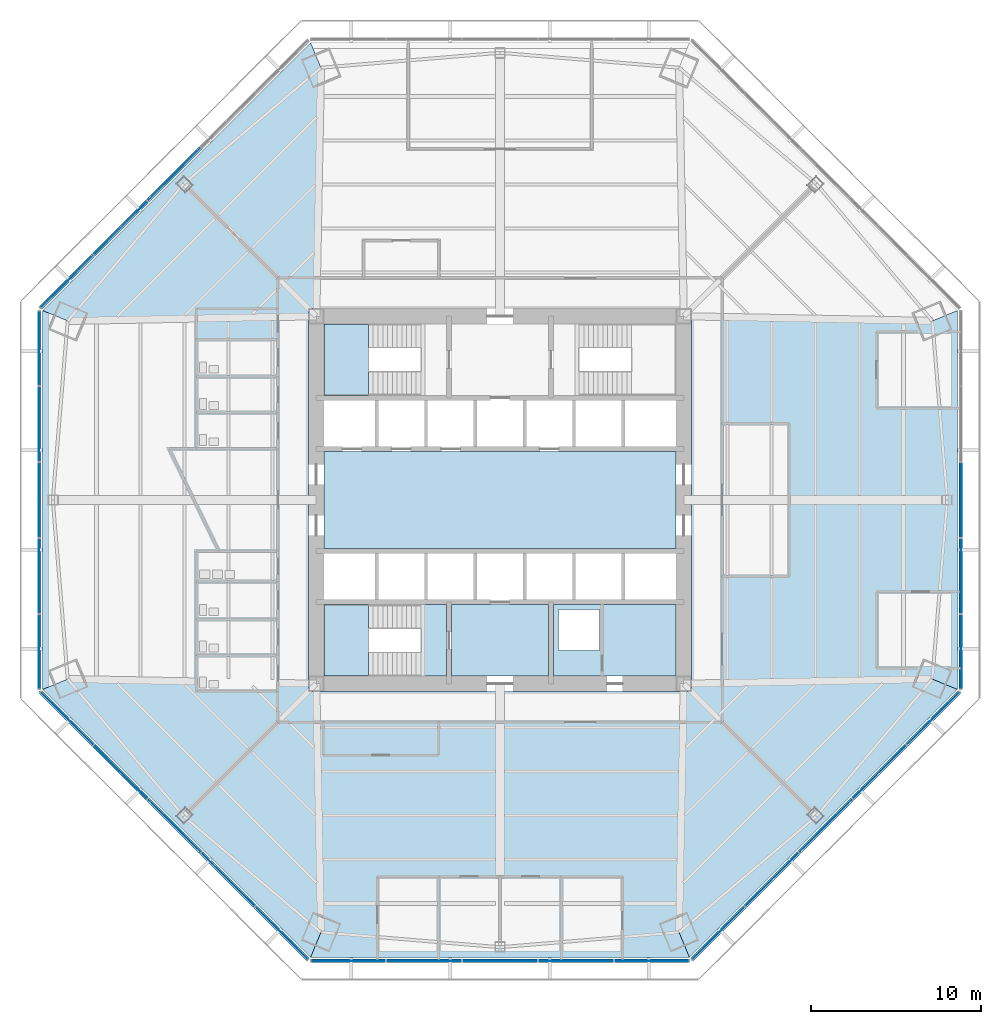
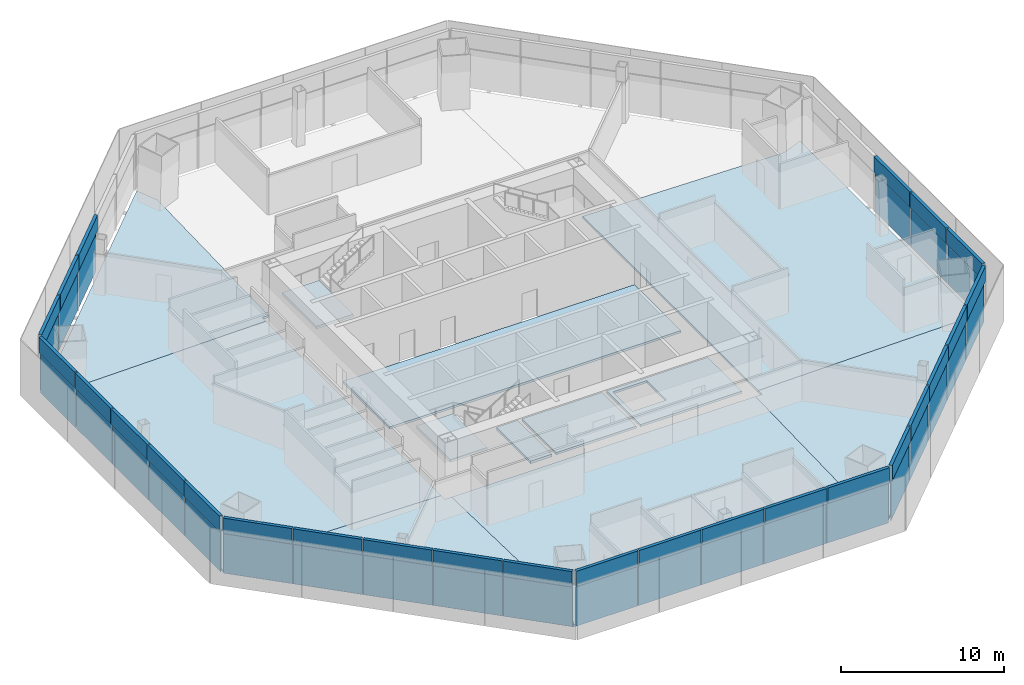
# One storey, part 7 of 14: 52 plates, 12 slabs, 8 elements without a shape of their own.
"""IFC4 building model written with IfcOpenShell, lengths in metres."""

from ifc_helpers import new_model, si_unit, direction, frame, origin, origin_2d, place, context, subcontext, project, spatial, polyline, rectangle, outline, extrude, source, transform, mapped, material, layer, layer_set, type_object, type_shapes, element, aggregate, save


model = new_model("IFC4")

# Units and contexts
model_context = context("Model", 3, precision=1e-05, world=origin(), true_north=direction((0.0, 1.0)))
body_context = subcontext(model_context, "Body", "Model", "MODEL_VIEW")
ifc_project = project(units=[si_unit("LENGTHUNIT", "METRE"), si_unit("AREAUNIT", "SQUARE_METRE"), si_unit("VOLUMEUNIT", "CUBIC_METRE"), si_unit("PLANEANGLEUNIT", "RADIAN"), si_unit("MASSUNIT", "GRAM", prefix="KILO")], contexts=[model_context])

# Site, building, storey
site_placement = place(None, origin())
site = spatial("IfcSite", under=ifc_project, at=site_placement, CompositionType="ELEMENT")
building_placement = place(site_placement, origin())
building = spatial("IfcBuilding", under=site, at=building_placement, Name="Mashrafa Tower", CompositionType="ELEMENT")
storey_placement = place(building_placement, frame((0.0, 0.0, 33.0)))
storey = spatial("IfcBuildingStorey", under=building, at=storey_placement, Name="L06", CompositionType="ELEMENT", Elevation=33.0)

# Slabs
ifc_material_1 = material(Name="Concrete C35/45", Category="concrete")
ifc_layer_1 = layer(ifc_material_1, 0.1650390625)
ifc_layer_set_1 = layer_set([ifc_layer_1], Name="Floor slab 165")
slab_type_1 = type_object("IfcSlabType", Name="Floor slab 165", PredefinedType="FLOOR", material=ifc_layer_set_1)
slab_1_placement = place(storey_placement, frame((0.0, 0.0, -0.1650390625)))
element("IfcSlab", 1, at=slab_1_placement, inside=storey, type_object=slab_type_1, Name="Floor slab L06 east bay", PredefinedType="FLOOR", context=body_context, shape_type="SweptSolid", body=[
    extrude(outline(polyline([(26.881103515625, 11.134521484375), (26.881103515625, -11.134521484375), (26.881103515625, -11.134521484375), (25.40771484375, -10.524169921875), (11.25, -10.79150390625), (11.25, 10.79150390625), (25.40771484375, 10.524169921875), (26.881103515625, 11.134521484375), (26.881103515625, 11.134521484375)])), origin(), (0.0, 0.0, 1.0), 0.1650390625),
])
slab_2_placement = place(storey_placement, frame((0.0, 0.0, -0.1650390625)))
element("IfcSlab", 2, at=slab_2_placement, inside=storey, type_object=slab_type_1, Name="Floor slab L06 north-west bay", PredefinedType="FLOOR", context=body_context, shape_type="SweptSolid", body=[
    extrude(outline(polyline([(-11.134521484375, 26.881103515625), (-10.524169921875, 25.40771484375), (-10.79150390625, 11.25), (-11.25, 11.25), (-11.25, 10.79150390625), (-25.40771484375, 10.524169921875), (-26.881103515625, 11.134521484375), (-11.134521484375, 26.881103515625)])), origin(), (0.0, 0.0, 1.0), 0.1650390625),
])
slab_3_placement = place(storey_placement, frame((0.0, 0.0, -0.1650390625)))
element("IfcSlab", 3, at=slab_3_placement, inside=storey, type_object=slab_type_1, Name="Floor slab L06 west bay", PredefinedType="FLOOR", context=body_context, shape_type="SweptSolid", body=[
    extrude(outline(polyline([(-26.881103515625, -11.134521484375), (-26.881103515625, 11.134521484375), (-26.881103515625, 11.134521484375), (-25.40771484375, 10.524169921875), (-11.25, 10.79150390625), (-11.25, -10.79150390625), (-25.40771484375, -10.524169921875), (-26.881103515625, -11.134521484375), (-26.881103515625, -11.134521484375)])), origin(), (0.0, 0.0, 1.0), 0.1650390625),
])
slab_4_placement = place(storey_placement, frame((0.0, 0.0, -0.1650390625)))
element("IfcSlab", 4, at=slab_4_placement, inside=storey, type_object=slab_type_1, Name="Floor slab L06 south-west bay", PredefinedType="FLOOR", context=body_context, shape_type="SweptSolid", body=[
    extrude(outline(polyline([(-26.881103515625, -11.134521484375), (-25.40771484375, -10.524169921875), (-11.25, -10.79150390625), (-11.25, -11.25), (-10.79150390625, -11.25), (-10.524169921875, -25.40771484375), (-11.134521484375, -26.881103515625), (-26.881103515625, -11.134521484375)])), origin(), (0.0, 0.0, 1.0), 0.1650390625),
])
slab_5_placement = place(storey_placement, frame((0.0, 0.0, -0.1650390625)))
element("IfcSlab", 5, at=slab_5_placement, inside=storey, type_object=slab_type_1, Name="Floor slab L06 south bay", PredefinedType="FLOOR", context=body_context, shape_type="SweptSolid", body=[
    extrude(outline(polyline([(-11.134521484375, -26.881103515625), (-11.134521484375, -26.881103515625), (-10.524169921875, -25.40771484375), (-10.79150390625, -11.25), (10.79150390625, -11.25), (10.524169921875, -25.40771484375), (11.134521484375, -26.881103515625), (11.134521484375, -26.881103515625), (-11.134521484375, -26.881103515625)])), origin(), (0.0, 0.0, 1.0), 0.1650390625),
])
slab_6_placement = place(storey_placement, frame((0.0, 0.0, -0.1650390625)))
element("IfcSlab", 6, at=slab_6_placement, inside=storey, type_object=slab_type_1, Name="Floor slab L06 south-east bay", PredefinedType="FLOOR", context=body_context, shape_type="SweptSolid", body=[
    extrude(outline(polyline([(11.134521484375, -26.881103515625), (10.524169921875, -25.40771484375), (10.79150390625, -11.25), (11.25, -11.25), (11.25, -10.79150390625), (25.40771484375, -10.524169921875), (26.881103515625, -11.134521484375), (11.134521484375, -26.881103515625)])), origin(), (0.0, 0.0, 1.0), 0.1650390625),
])
slab_7_placement = place(storey_placement, frame((0.0, 0.0, -0.1650390625)))
element("IfcSlab", 7, at=slab_7_placement, inside=storey, type_object=slab_type_1, Name="Core floor lift hall L06", PredefinedType="FLOOR", context=body_context, shape_type="SweptSolid", body=[
    extrude(outline(polyline([(-10.35009765625, 2.85009765625), (10.35009765625, 2.85009765625), (10.35009765625, -2.85009765625), (-10.35009765625, -2.85009765625), (-10.35009765625, 2.85009765625)])), origin(), (0.0, 0.0, 1.0), 0.1650390625),
])
slab_8_placement = place(storey_placement, frame((0.0, 0.0, -0.1650390625)))
element("IfcSlab", 8, at=slab_8_placement, inside=storey, type_object=slab_type_1, Name="Core floor riser and electrical band L06", PredefinedType="FLOOR", context=body_context, shape_type="SweptSolid", body=[
    extrude(outline(polyline([(10.35009765625, -6.14990234375), (10.35009765625, -10.35009765625), (3.14990234375, -10.35009765625), (3.14990234375, -6.14990234375), (10.35009765625, -6.14990234375)]), holes=[polyline([(3.449951171875, -8.85009765625), (5.85009765625, -8.85009765625), (5.85009765625, -6.449951171875), (3.449951171875, -6.449951171875), (3.449951171875, -8.85009765625)])]), origin(), (0.0, 0.0, 1.0), 0.1650390625),
])
slab_9_placement = place(storey_placement, frame((0.0, 0.0, -0.1650390625)))
element("IfcSlab", 9, at=slab_9_placement, inside=storey, type_object=slab_type_1, Name="Core floor fire-fighting lobby south L06", PredefinedType="FLOOR", context=body_context, shape_type="SweptSolid", body=[
    extrude(outline(polyline([(2.85009765625, -6.14990234375), (2.85009765625, -10.35009765625), (-2.85009765625, -10.35009765625), (-2.85009765625, -6.14990234375), (2.85009765625, -6.14990234375)])), origin(), (0.0, 0.0, 1.0), 0.1650390625),
])

# Stair, slab
ifc_material_2 = material(Name="Exit stair 1400")
stair_type = type_object("IfcStairType", Name="Exit stair 1400", PredefinedType="HALF_TURN_STAIR", material=ifc_material_2)
stair_1_placement = place(storey_placement, origin())
stair_1 = element("IfcStair", 10, at=stair_1_placement, inside=storey, type_object=stair_type, Name="Stair S1 L06", PredefinedType="HALF_TURN_STAIR")
ifc_material_3 = material(Name="Concrete C32/40", Category="concrete")
ifc_layer_2 = layer(ifc_material_3, 0.199951171875)
ifc_layer_set_2 = layer_set([ifc_layer_2], Name="Stair landing 200")
slab_type_2 = type_object("IfcSlabType", Name="Stair landing 200", PredefinedType="LANDING", material=ifc_layer_set_2)
slab_10_placement = place(storey_placement, frame((0.0, 0.0, 1.89990234375)))
slab_10 = element("IfcSlab", 11, at=slab_10_placement, type_object=slab_type_2, Name="S1 landing 2", PredefinedType="LANDING", context=body_context, shape_type="SweptSolid", body=[
    extrude(outline(polyline([(-10.35009765625, 6.14990234375), (-7.719970703125, 6.14990234375), (-7.719970703125, 10.35009765625), (-10.35009765625, 10.35009765625), (-10.35009765625, 6.14990234375)])), origin(), (0.0, 0.0, 1.0), 0.2001953125),
])
aggregate(stair_1, [slab_10])

# Stair, slabs
stair_2_placement = place(storey_placement, origin())
stair_2 = element("IfcStair", 12, at=stair_2_placement, inside=storey, type_object=stair_type, Name="Stair S3 L06", PredefinedType="HALF_TURN_STAIR")
slab_11_placement = place(storey_placement, frame((0.0, 0.0, -0.199951171875)))
slab_11 = element("IfcSlab", 13, at=slab_11_placement, type_object=slab_type_2, Name="S3 landing 1", PredefinedType="LANDING", context=body_context, shape_type="SweptSolid", body=[
    extrude(outline(polyline([(-4.659912109375, -10.35009765625), (-3.14990234375, -10.35009765625), (-3.14990234375, -6.14990234375), (-4.659912109375, -6.14990234375), (-4.659912109375, -10.35009765625)])), origin(), (0.0, 0.0, 1.0), 0.199951171875),
])
slab_12_placement = place(storey_placement, frame((0.0, 0.0, 1.89990234375)))
slab_12 = element("IfcSlab", 14, at=slab_12_placement, type_object=slab_type_2, Name="S3 landing 2", PredefinedType="LANDING", context=body_context, shape_type="SweptSolid", body=[
    extrude(outline(polyline([(-10.35009765625, -10.35009765625), (-7.719970703125, -10.35009765625), (-7.719970703125, -6.14990234375), (-10.35009765625, -6.14990234375), (-10.35009765625, -10.35009765625)])), origin(), (0.0, 0.0, 1.0), 0.2001953125),
])
aggregate(stair_2, [slab_11, slab_12])

# Curtain wall, plate
ifc_material_4 = material(Name="Unitised aluminium curtain wall", Category="aluminium")
curtain_wall_type = type_object("IfcCurtainWallType", Name="Office curtain wall, zone 1 CW-A 200 deep", PredefinedType="NOTDEFINED", material=ifc_material_4)
curtain_wall_1_placement = place(storey_placement, origin())
curtain_wall_1 = element("IfcCurtainWall", 15, at=curtain_wall_1_placement, inside=storey, type_object=curtain_wall_type, Name="Office curtain wall, zone 1 L06 east", PredefinedType="NOTDEFINED")
ifc_material_5 = material(Name="Insulated double glazing, low-e, neutral", Category="glass")
ifc_layer_3 = layer(ifc_material_5, 0.028076171875)
ifc_layer_set_3 = layer_set([ifc_layer_3], Name="Vision panel CW-A 28")
plate_type_1 = type_object("IfcPlateType", Name="Vision panel CW-A 28", PredefinedType="CURTAIN_PANEL", material=ifc_layer_set_3)
shared_shape_1 = source(origin(), body_context, "Body", "SweptSolid", [
    extrude(rectangle(XDim=4.368896484375, YDim=0.028076171875, at=origin_2d()), origin(), (0.0, 0.0, 1.0), 2.9599609375),
])
plate_1_placement = place(storey_placement, frame((27.081298828125, -8.91650390625, 0.0), z_axis=(0.0, 0.0, 1.0), x_axis=(0.0, 1.0, 0.0)))
plate_1 = element("IfcPlate", 16, at=plate_1_placement, type_object=plate_type_1, Name="CW-A vision panel 1", PredefinedType="CURTAIN_PANEL", context=body_context, shape_type="MappedRepresentation", body=[
    mapped(shared_shape_1, transform((0.0, 0.0, 0.0))),
])

curtain_wall_2_placement = place(storey_placement, origin())
curtain_wall_2 = element("IfcCurtainWall", 17, at=curtain_wall_2_placement, inside=storey, type_object=curtain_wall_type, Name="Office curtain wall, zone 1 L06 north-west", PredefinedType="NOTDEFINED")
plate_2_placement = place(storey_placement, frame((-25.454345703125, 12.84423828125, 0.0), z_axis=(0.0, 0.0, 1.0), x_axis=(-0.707106781187, -0.707106781187, 0.0)))
plate_2 = element("IfcPlate", 18, at=plate_2_placement, type_object=plate_type_1, Name="CW-A vision panel 5", PredefinedType="CURTAIN_PANEL", context=body_context, shape_type="MappedRepresentation", body=[
    mapped(shared_shape_1, transform((0.0, 0.0, 0.0))),
])

# Curtain wall, plates
curtain_wall_3_placement = place(storey_placement, origin())
curtain_wall_3 = element("IfcCurtainWall", 19, at=curtain_wall_3_placement, inside=storey, type_object=curtain_wall_type, Name="Office curtain wall, zone 1 L06 west", PredefinedType="NOTDEFINED")
plate_3_placement = place(storey_placement, frame((-27.081298828125, 8.91650390625, 0.0), z_axis=(0.0, 0.0, 1.0), x_axis=(0.0, -1.0, 0.0)))
plate_3 = element("IfcPlate", 20, at=plate_3_placement, type_object=plate_type_1, Name="CW-A vision panel 1", PredefinedType="CURTAIN_PANEL", context=body_context, shape_type="MappedRepresentation", body=[
    mapped(shared_shape_1, transform((0.0, 0.0, 0.0))),
])
plate_4_placement = place(storey_placement, frame((-27.081298828125, -8.91650390625, 0.0), z_axis=(0.0, 0.0, 1.0), x_axis=(0.0, -1.0, 0.0)))
plate_4 = element("IfcPlate", 21, at=plate_4_placement, type_object=plate_type_1, Name="CW-A vision panel 5", PredefinedType="CURTAIN_PANEL", context=body_context, shape_type="MappedRepresentation", body=[
    mapped(shared_shape_1, transform((0.0, 0.0, 0.0))),
])

curtain_wall_4_placement = place(storey_placement, origin())
curtain_wall_4 = element("IfcCurtainWall", 22, at=curtain_wall_4_placement, inside=storey, type_object=curtain_wall_type, Name="Office curtain wall, zone 1 L06 south-west", PredefinedType="NOTDEFINED")
plate_5_placement = place(storey_placement, frame((-25.454345703125, -12.84423828125, 0.0), z_axis=(0.0, 0.0, 1.0), x_axis=(0.707106781187, -0.707106781187, 0.0)))
plate_5 = element("IfcPlate", 23, at=plate_5_placement, type_object=plate_type_1, Name="CW-A vision panel 1", PredefinedType="CURTAIN_PANEL", context=body_context, shape_type="MappedRepresentation", body=[
    mapped(shared_shape_1, transform((0.0, 0.0, 0.0))),
])
plate_6_placement = place(storey_placement, frame((-12.84423828125, -25.454345703125, 0.0), z_axis=(0.0, 0.0, 1.0), x_axis=(0.707106781187, -0.707106781187, 0.0)))
plate_6 = element("IfcPlate", 24, at=plate_6_placement, type_object=plate_type_1, Name="CW-A vision panel 5", PredefinedType="CURTAIN_PANEL", context=body_context, shape_type="MappedRepresentation", body=[
    mapped(shared_shape_1, transform((0.0, 0.0, 0.0))),
])

curtain_wall_5_placement = place(storey_placement, origin())
curtain_wall_5 = element("IfcCurtainWall", 25, at=curtain_wall_5_placement, inside=storey, type_object=curtain_wall_type, Name="Office curtain wall, zone 1 L06 south", PredefinedType="NOTDEFINED")
plate_7_placement = place(storey_placement, frame((-8.91650390625, -27.081298828125, 0.0), z_axis=(0.0, 0.0, 1.0), x_axis=(1.0, 0.0, 0.0)))
plate_7 = element("IfcPlate", 26, at=plate_7_placement, type_object=plate_type_1, Name="CW-A vision panel 1", PredefinedType="CURTAIN_PANEL", context=body_context, shape_type="MappedRepresentation", body=[
    mapped(shared_shape_1, transform((0.0, 0.0, 0.0))),
])
plate_8_placement = place(storey_placement, frame((8.91650390625, -27.081298828125, 0.0), z_axis=(0.0, 0.0, 1.0), x_axis=(1.0, 0.0, 0.0)))
plate_8 = element("IfcPlate", 27, at=plate_8_placement, type_object=plate_type_1, Name="CW-A vision panel 5", PredefinedType="CURTAIN_PANEL", context=body_context, shape_type="MappedRepresentation", body=[
    mapped(shared_shape_1, transform((0.0, 0.0, 0.0))),
])

curtain_wall_6_placement = place(storey_placement, origin())
curtain_wall_6 = element("IfcCurtainWall", 28, at=curtain_wall_6_placement, inside=storey, type_object=curtain_wall_type, Name="Office curtain wall, zone 1 L06 south-east", PredefinedType="NOTDEFINED")
plate_9_placement = place(storey_placement, frame((12.84423828125, -25.454345703125, 0.0), z_axis=(0.0, 0.0, 1.0), x_axis=(0.707106781187, 0.707106781187, 0.0)))
plate_9 = element("IfcPlate", 29, at=plate_9_placement, type_object=plate_type_1, Name="CW-A vision panel 1", PredefinedType="CURTAIN_PANEL", context=body_context, shape_type="MappedRepresentation", body=[
    mapped(shared_shape_1, transform((0.0, 0.0, 0.0))),
])
plate_10_placement = place(storey_placement, frame((25.454345703125, -12.84423828125, 0.0), z_axis=(0.0, 0.0, 1.0), x_axis=(0.707106781187, 0.707106781187, 0.0)))
plate_10 = element("IfcPlate", 30, at=plate_10_placement, type_object=plate_type_1, Name="CW-A vision panel 5", PredefinedType="CURTAIN_PANEL", context=body_context, shape_type="MappedRepresentation", body=[
    mapped(shared_shape_1, transform((0.0, 0.0, 0.0))),
])

# Plate
ifc_material_6 = material(Name="Insulated aluminium spandrel panel", Category="aluminium")
ifc_layer_4 = layer(ifc_material_6, 0.219970703125)
ifc_layer_set_4 = layer_set([ifc_layer_4], Name="Spandrel panel CW-A 220")
plate_type_2 = type_object("IfcPlateType", Name="Spandrel panel CW-A 220", PredefinedType="CURTAIN_PANEL", material=ifc_layer_set_4)
shared_shape_2 = source(origin(), body_context, "Body", "SweptSolid", [
    extrude(rectangle(XDim=4.368896484375, YDim=0.219970703125, at=origin_2d()), origin(), (0.0, 0.0, 1.0), 1.159912109375),
])
plate_11_placement = place(storey_placement, frame((27.081298828125, -8.91650390625, 3.0400390625), z_axis=(0.0, 0.0, 1.0), x_axis=(0.0, 1.0, 0.0)))
plate_11 = element("IfcPlate", 31, at=plate_11_placement, type_object=plate_type_2, Name="CW-A spandrel panel 1", PredefinedType="CURTAIN_PANEL", context=body_context, shape_type="MappedRepresentation", body=[
    mapped(shared_shape_2, transform((0.0, 0.0, 0.0))),
])

plate_12_placement = place(storey_placement, frame((-25.454345703125, 12.84423828125, 3.0400390625), z_axis=(0.0, 0.0, 1.0), x_axis=(-0.707106781187, -0.707106781187, 0.0)))
plate_12 = element("IfcPlate", 32, at=plate_12_placement, type_object=plate_type_2, Name="CW-A spandrel panel 5", PredefinedType="CURTAIN_PANEL", context=body_context, shape_type="MappedRepresentation", body=[
    mapped(shared_shape_2, transform((0.0, 0.0, 0.0))),
])

plate_13_placement = place(storey_placement, frame((-27.081298828125, 8.91650390625, 3.0400390625), z_axis=(0.0, 0.0, 1.0), x_axis=(0.0, -1.0, 0.0)))
plate_13 = element("IfcPlate", 33, at=plate_13_placement, type_object=plate_type_2, Name="CW-A spandrel panel 1", PredefinedType="CURTAIN_PANEL", context=body_context, shape_type="MappedRepresentation", body=[
    mapped(shared_shape_2, transform((0.0, 0.0, 0.0))),
])

plate_14_placement = place(storey_placement, frame((-27.081298828125, -8.91650390625, 3.0400390625), z_axis=(0.0, 0.0, 1.0), x_axis=(0.0, -1.0, 0.0)))
plate_14 = element("IfcPlate", 34, at=plate_14_placement, type_object=plate_type_2, Name="CW-A spandrel panel 5", PredefinedType="CURTAIN_PANEL", context=body_context, shape_type="MappedRepresentation", body=[
    mapped(shared_shape_2, transform((0.0, 0.0, 0.0))),
])

plate_15_placement = place(storey_placement, frame((-25.454345703125, -12.84423828125, 3.0400390625), z_axis=(0.0, 0.0, 1.0), x_axis=(0.707106781187, -0.707106781187, 0.0)))
plate_15 = element("IfcPlate", 35, at=plate_15_placement, type_object=plate_type_2, Name="CW-A spandrel panel 1", PredefinedType="CURTAIN_PANEL", context=body_context, shape_type="MappedRepresentation", body=[
    mapped(shared_shape_2, transform((0.0, 0.0, 0.0))),
])

plate_16_placement = place(storey_placement, frame((-12.84423828125, -25.454345703125, 3.0400390625), z_axis=(0.0, 0.0, 1.0), x_axis=(0.707106781187, -0.707106781187, 0.0)))
plate_16 = element("IfcPlate", 36, at=plate_16_placement, type_object=plate_type_2, Name="CW-A spandrel panel 5", PredefinedType="CURTAIN_PANEL", context=body_context, shape_type="MappedRepresentation", body=[
    mapped(shared_shape_2, transform((0.0, 0.0, 0.0))),
])

plate_17_placement = place(storey_placement, frame((-8.91650390625, -27.081298828125, 3.0400390625), z_axis=(0.0, 0.0, 1.0), x_axis=(1.0, 0.0, 0.0)))
plate_17 = element("IfcPlate", 37, at=plate_17_placement, type_object=plate_type_2, Name="CW-A spandrel panel 1", PredefinedType="CURTAIN_PANEL", context=body_context, shape_type="MappedRepresentation", body=[
    mapped(shared_shape_2, transform((0.0, 0.0, 0.0))),
])

plate_18_placement = place(storey_placement, frame((8.91650390625, -27.081298828125, 3.0400390625), z_axis=(0.0, 0.0, 1.0), x_axis=(1.0, 0.0, 0.0)))
plate_18 = element("IfcPlate", 38, at=plate_18_placement, type_object=plate_type_2, Name="CW-A spandrel panel 5", PredefinedType="CURTAIN_PANEL", context=body_context, shape_type="MappedRepresentation", body=[
    mapped(shared_shape_2, transform((0.0, 0.0, 0.0))),
])

plate_19_placement = place(storey_placement, frame((12.84423828125, -25.454345703125, 3.0400390625), z_axis=(0.0, 0.0, 1.0), x_axis=(0.707106781187, 0.707106781187, 0.0)))
plate_19 = element("IfcPlate", 39, at=plate_19_placement, type_object=plate_type_2, Name="CW-A spandrel panel 1", PredefinedType="CURTAIN_PANEL", context=body_context, shape_type="MappedRepresentation", body=[
    mapped(shared_shape_2, transform((0.0, 0.0, 0.0))),
])

plate_20_placement = place(storey_placement, frame((25.454345703125, -12.84423828125, 3.0400390625), z_axis=(0.0, 0.0, 1.0), x_axis=(0.707106781187, 0.707106781187, 0.0)))
plate_20 = element("IfcPlate", 40, at=plate_20_placement, type_object=plate_type_2, Name="CW-A spandrel panel 5", PredefinedType="CURTAIN_PANEL", context=body_context, shape_type="MappedRepresentation", body=[
    mapped(shared_shape_2, transform((0.0, 0.0, 0.0))),
])

shared_shape_3 = source(origin(), body_context, "Body", "SweptSolid", [
    extrude(rectangle(XDim=4.4013671875, YDim=0.028076171875, at=origin_2d()), origin(), (0.0, 0.0, 1.0), 2.9599609375),
])
type_shapes(plate_type_1, [shared_shape_1, shared_shape_3])
plate_21_placement = place(storey_placement, frame((27.081298828125, -4.46630859375, 0.0), z_axis=(0.0, 0.0, 1.0), x_axis=(0.0, 1.0, 0.0)))
plate_21 = element("IfcPlate", 41, at=plate_21_placement, type_object=plate_type_1, Name="CW-A vision panel 2", PredefinedType="CURTAIN_PANEL", context=body_context, shape_type="MappedRepresentation", body=[
    mapped(shared_shape_3, transform((0.0, 0.0, 0.0))),
])

plate_22_placement = place(storey_placement, frame((27.081298828125, 0.0, 0.0), z_axis=(0.0, 0.0, 1.0), x_axis=(0.0, 1.0, 0.0)))
plate_22 = element("IfcPlate", 42, at=plate_22_placement, type_object=plate_type_1, Name="CW-A vision panel 3", PredefinedType="CURTAIN_PANEL", context=body_context, shape_type="MappedRepresentation", body=[
    mapped(shared_shape_3, transform((0.0, 0.0, 0.0))),
])

plate_23_placement = place(storey_placement, frame((-19.1494140625, 19.1494140625, 0.0), z_axis=(0.0, 0.0, 1.0), x_axis=(-0.707106781187, -0.707106781187, 0.0)))
plate_23 = element("IfcPlate", 43, at=plate_23_placement, type_object=plate_type_1, Name="CW-A vision panel 3", PredefinedType="CURTAIN_PANEL", context=body_context, shape_type="MappedRepresentation", body=[
    mapped(shared_shape_3, transform((0.0, 0.0, 0.0))),
])

plate_24_placement = place(storey_placement, frame((-22.3076171875, 15.990966796875, 0.0), z_axis=(0.0, 0.0, 1.0), x_axis=(-0.707106781187, -0.707106781187, 0.0)))
plate_24 = element("IfcPlate", 44, at=plate_24_placement, type_object=plate_type_1, Name="CW-A vision panel 4", PredefinedType="CURTAIN_PANEL", context=body_context, shape_type="MappedRepresentation", body=[
    mapped(shared_shape_3, transform((0.0, 0.0, 0.0))),
])

plate_25_placement = place(storey_placement, frame((-27.081298828125, 4.46630859375, 0.0), z_axis=(0.0, 0.0, 1.0), x_axis=(0.0, -1.0, 0.0)))
plate_25 = element("IfcPlate", 45, at=plate_25_placement, type_object=plate_type_1, Name="CW-A vision panel 2", PredefinedType="CURTAIN_PANEL", context=body_context, shape_type="MappedRepresentation", body=[
    mapped(shared_shape_3, transform((0.0, 0.0, 0.0))),
])

plate_26_placement = place(storey_placement, frame((-27.081298828125, 0.0, 0.0), z_axis=(0.0, 0.0, 1.0), x_axis=(0.0, -1.0, 0.0)))
plate_26 = element("IfcPlate", 46, at=plate_26_placement, type_object=plate_type_1, Name="CW-A vision panel 3", PredefinedType="CURTAIN_PANEL", context=body_context, shape_type="MappedRepresentation", body=[
    mapped(shared_shape_3, transform((0.0, 0.0, 0.0))),
])

plate_27_placement = place(storey_placement, frame((-27.081298828125, -4.46630859375, 0.0), z_axis=(0.0, 0.0, 1.0), x_axis=(0.0, -1.0, 0.0)))
plate_27 = element("IfcPlate", 47, at=plate_27_placement, type_object=plate_type_1, Name="CW-A vision panel 4", PredefinedType="CURTAIN_PANEL", context=body_context, shape_type="MappedRepresentation", body=[
    mapped(shared_shape_3, transform((0.0, 0.0, 0.0))),
])

plate_28_placement = place(storey_placement, frame((-22.3076171875, -15.990966796875, 0.0), z_axis=(0.0, 0.0, 1.0), x_axis=(0.707106781187, -0.707106781187, 0.0)))
plate_28 = element("IfcPlate", 48, at=plate_28_placement, type_object=plate_type_1, Name="CW-A vision panel 2", PredefinedType="CURTAIN_PANEL", context=body_context, shape_type="MappedRepresentation", body=[
    mapped(shared_shape_3, transform((0.0, 0.0, 0.0))),
])

plate_29_placement = place(storey_placement, frame((-19.1494140625, -19.1494140625, 0.0), z_axis=(0.0, 0.0, 1.0), x_axis=(0.707106781187, -0.707106781187, 0.0)))
plate_29 = element("IfcPlate", 49, at=plate_29_placement, type_object=plate_type_1, Name="CW-A vision panel 3", PredefinedType="CURTAIN_PANEL", context=body_context, shape_type="MappedRepresentation", body=[
    mapped(shared_shape_3, transform((0.0, 0.0, 0.0))),
])

plate_30_placement = place(storey_placement, frame((-15.990966796875, -22.3076171875, 0.0), z_axis=(0.0, 0.0, 1.0), x_axis=(0.707106781187, -0.707106781187, 0.0)))
plate_30 = element("IfcPlate", 50, at=plate_30_placement, type_object=plate_type_1, Name="CW-A vision panel 4", PredefinedType="CURTAIN_PANEL", context=body_context, shape_type="MappedRepresentation", body=[
    mapped(shared_shape_3, transform((0.0, 0.0, 0.0))),
])

plate_31_placement = place(storey_placement, frame((-4.46630859375, -27.081298828125, 0.0), z_axis=(0.0, 0.0, 1.0), x_axis=(1.0, 0.0, 0.0)))
plate_31 = element("IfcPlate", 51, at=plate_31_placement, type_object=plate_type_1, Name="CW-A vision panel 2", PredefinedType="CURTAIN_PANEL", context=body_context, shape_type="MappedRepresentation", body=[
    mapped(shared_shape_3, transform((0.0, 0.0, 0.0))),
])

plate_32_placement = place(storey_placement, frame((0.0, -27.081298828125, 0.0), z_axis=(0.0, 0.0, 1.0), x_axis=(1.0, 0.0, 0.0)))
plate_32 = element("IfcPlate", 52, at=plate_32_placement, type_object=plate_type_1, Name="CW-A vision panel 3", PredefinedType="CURTAIN_PANEL", context=body_context, shape_type="MappedRepresentation", body=[
    mapped(shared_shape_3, transform((0.0, 0.0, 0.0))),
])

plate_33_placement = place(storey_placement, frame((4.46630859375, -27.081298828125, 0.0), z_axis=(0.0, 0.0, 1.0), x_axis=(1.0, 0.0, 0.0)))
plate_33 = element("IfcPlate", 53, at=plate_33_placement, type_object=plate_type_1, Name="CW-A vision panel 4", PredefinedType="CURTAIN_PANEL", context=body_context, shape_type="MappedRepresentation", body=[
    mapped(shared_shape_3, transform((0.0, 0.0, 0.0))),
])

plate_34_placement = place(storey_placement, frame((15.990966796875, -22.3076171875, 0.0), z_axis=(0.0, 0.0, 1.0), x_axis=(0.707106781187, 0.707106781187, 0.0)))
plate_34 = element("IfcPlate", 54, at=plate_34_placement, type_object=plate_type_1, Name="CW-A vision panel 2", PredefinedType="CURTAIN_PANEL", context=body_context, shape_type="MappedRepresentation", body=[
    mapped(shared_shape_3, transform((0.0, 0.0, 0.0))),
])

plate_35_placement = place(storey_placement, frame((19.1494140625, -19.1494140625, 0.0), z_axis=(0.0, 0.0, 1.0), x_axis=(0.707106781187, 0.707106781187, 0.0)))
plate_35 = element("IfcPlate", 55, at=plate_35_placement, type_object=plate_type_1, Name="CW-A vision panel 3", PredefinedType="CURTAIN_PANEL", context=body_context, shape_type="MappedRepresentation", body=[
    mapped(shared_shape_3, transform((0.0, 0.0, 0.0))),
])

plate_36_placement = place(storey_placement, frame((22.3076171875, -15.990966796875, 0.0), z_axis=(0.0, 0.0, 1.0), x_axis=(0.707106781187, 0.707106781187, 0.0)))
plate_36 = element("IfcPlate", 56, at=plate_36_placement, type_object=plate_type_1, Name="CW-A vision panel 4", PredefinedType="CURTAIN_PANEL", context=body_context, shape_type="MappedRepresentation", body=[
    mapped(shared_shape_3, transform((0.0, 0.0, 0.0))),
])

shared_shape_4 = source(origin(), body_context, "Body", "SweptSolid", [
    extrude(rectangle(XDim=4.4013671875, YDim=0.219970703125, at=origin_2d()), origin(), (0.0, 0.0, 1.0), 1.159912109375),
])
type_shapes(plate_type_2, [shared_shape_2, shared_shape_4])
plate_37_placement = place(storey_placement, frame((27.081298828125, -4.46630859375, 3.0400390625), z_axis=(0.0, 0.0, 1.0), x_axis=(0.0, 1.0, 0.0)))
plate_37 = element("IfcPlate", 57, at=plate_37_placement, type_object=plate_type_2, Name="CW-A spandrel panel 2", PredefinedType="CURTAIN_PANEL", context=body_context, shape_type="MappedRepresentation", body=[
    mapped(shared_shape_4, transform((0.0, 0.0, 0.0))),
])

plate_38_placement = place(storey_placement, frame((27.081298828125, 0.0, 3.0400390625), z_axis=(0.0, 0.0, 1.0), x_axis=(0.0, 1.0, 0.0)))
plate_38 = element("IfcPlate", 58, at=plate_38_placement, type_object=plate_type_2, Name="CW-A spandrel panel 3", PredefinedType="CURTAIN_PANEL", context=body_context, shape_type="MappedRepresentation", body=[
    mapped(shared_shape_4, transform((0.0, 0.0, 0.0))),
])

aggregate(curtain_wall_1, [plate_1, plate_11, plate_21, plate_37, plate_22, plate_38])

plate_39_placement = place(storey_placement, frame((-19.1494140625, 19.1494140625, 3.0400390625), z_axis=(0.0, 0.0, 1.0), x_axis=(-0.707106781187, -0.707106781187, 0.0)))
plate_39 = element("IfcPlate", 59, at=plate_39_placement, type_object=plate_type_2, Name="CW-A spandrel panel 3", PredefinedType="CURTAIN_PANEL", context=body_context, shape_type="MappedRepresentation", body=[
    mapped(shared_shape_4, transform((0.0, 0.0, 0.0))),
])

plate_40_placement = place(storey_placement, frame((-22.3076171875, 15.990966796875, 3.0400390625), z_axis=(0.0, 0.0, 1.0), x_axis=(-0.707106781187, -0.707106781187, 0.0)))
plate_40 = element("IfcPlate", 60, at=plate_40_placement, type_object=plate_type_2, Name="CW-A spandrel panel 4", PredefinedType="CURTAIN_PANEL", context=body_context, shape_type="MappedRepresentation", body=[
    mapped(shared_shape_4, transform((0.0, 0.0, 0.0))),
])

aggregate(curtain_wall_2, [plate_23, plate_39, plate_24, plate_40, plate_2, plate_12])

plate_41_placement = place(storey_placement, frame((-27.081298828125, 4.46630859375, 3.0400390625), z_axis=(0.0, 0.0, 1.0), x_axis=(0.0, -1.0, 0.0)))
plate_41 = element("IfcPlate", 61, at=plate_41_placement, type_object=plate_type_2, Name="CW-A spandrel panel 2", PredefinedType="CURTAIN_PANEL", context=body_context, shape_type="MappedRepresentation", body=[
    mapped(shared_shape_4, transform((0.0, 0.0, 0.0))),
])

plate_42_placement = place(storey_placement, frame((-27.081298828125, 0.0, 3.0400390625), z_axis=(0.0, 0.0, 1.0), x_axis=(0.0, -1.0, 0.0)))
plate_42 = element("IfcPlate", 62, at=plate_42_placement, type_object=plate_type_2, Name="CW-A spandrel panel 3", PredefinedType="CURTAIN_PANEL", context=body_context, shape_type="MappedRepresentation", body=[
    mapped(shared_shape_4, transform((0.0, 0.0, 0.0))),
])

plate_43_placement = place(storey_placement, frame((-27.081298828125, -4.46630859375, 3.0400390625), z_axis=(0.0, 0.0, 1.0), x_axis=(0.0, -1.0, 0.0)))
plate_43 = element("IfcPlate", 63, at=plate_43_placement, type_object=plate_type_2, Name="CW-A spandrel panel 4", PredefinedType="CURTAIN_PANEL", context=body_context, shape_type="MappedRepresentation", body=[
    mapped(shared_shape_4, transform((0.0, 0.0, 0.0))),
])

aggregate(curtain_wall_3, [plate_3, plate_13, plate_25, plate_41, plate_26, plate_42, plate_27, plate_43, plate_4, plate_14])

plate_44_placement = place(storey_placement, frame((-22.3076171875, -15.990966796875, 3.0400390625), z_axis=(0.0, 0.0, 1.0), x_axis=(0.707106781187, -0.707106781187, 0.0)))
plate_44 = element("IfcPlate", 64, at=plate_44_placement, type_object=plate_type_2, Name="CW-A spandrel panel 2", PredefinedType="CURTAIN_PANEL", context=body_context, shape_type="MappedRepresentation", body=[
    mapped(shared_shape_4, transform((0.0, 0.0, 0.0))),
])

plate_45_placement = place(storey_placement, frame((-19.1494140625, -19.1494140625, 3.0400390625), z_axis=(0.0, 0.0, 1.0), x_axis=(0.707106781187, -0.707106781187, 0.0)))
plate_45 = element("IfcPlate", 65, at=plate_45_placement, type_object=plate_type_2, Name="CW-A spandrel panel 3", PredefinedType="CURTAIN_PANEL", context=body_context, shape_type="MappedRepresentation", body=[
    mapped(shared_shape_4, transform((0.0, 0.0, 0.0))),
])

plate_46_placement = place(storey_placement, frame((-15.990966796875, -22.3076171875, 3.0400390625), z_axis=(0.0, 0.0, 1.0), x_axis=(0.707106781187, -0.707106781187, 0.0)))
plate_46 = element("IfcPlate", 66, at=plate_46_placement, type_object=plate_type_2, Name="CW-A spandrel panel 4", PredefinedType="CURTAIN_PANEL", context=body_context, shape_type="MappedRepresentation", body=[
    mapped(shared_shape_4, transform((0.0, 0.0, 0.0))),
])

aggregate(curtain_wall_4, [plate_5, plate_15, plate_28, plate_44, plate_29, plate_45, plate_30, plate_46, plate_6, plate_16])

plate_47_placement = place(storey_placement, frame((-4.46630859375, -27.081298828125, 3.0400390625), z_axis=(0.0, 0.0, 1.0), x_axis=(1.0, 0.0, 0.0)))
plate_47 = element("IfcPlate", 67, at=plate_47_placement, type_object=plate_type_2, Name="CW-A spandrel panel 2", PredefinedType="CURTAIN_PANEL", context=body_context, shape_type="MappedRepresentation", body=[
    mapped(shared_shape_4, transform((0.0, 0.0, 0.0))),
])

plate_48_placement = place(storey_placement, frame((0.0, -27.081298828125, 3.0400390625), z_axis=(0.0, 0.0, 1.0), x_axis=(1.0, 0.0, 0.0)))
plate_48 = element("IfcPlate", 68, at=plate_48_placement, type_object=plate_type_2, Name="CW-A spandrel panel 3", PredefinedType="CURTAIN_PANEL", context=body_context, shape_type="MappedRepresentation", body=[
    mapped(shared_shape_4, transform((0.0, 0.0, 0.0))),
])

plate_49_placement = place(storey_placement, frame((4.46630859375, -27.081298828125, 3.0400390625), z_axis=(0.0, 0.0, 1.0), x_axis=(1.0, 0.0, 0.0)))
plate_49 = element("IfcPlate", 69, at=plate_49_placement, type_object=plate_type_2, Name="CW-A spandrel panel 4", PredefinedType="CURTAIN_PANEL", context=body_context, shape_type="MappedRepresentation", body=[
    mapped(shared_shape_4, transform((0.0, 0.0, 0.0))),
])

aggregate(curtain_wall_5, [plate_7, plate_17, plate_31, plate_47, plate_32, plate_48, plate_33, plate_49, plate_8, plate_18])

plate_50_placement = place(storey_placement, frame((15.990966796875, -22.3076171875, 3.0400390625), z_axis=(0.0, 0.0, 1.0), x_axis=(0.707106781187, 0.707106781187, 0.0)))
plate_50 = element("IfcPlate", 70, at=plate_50_placement, type_object=plate_type_2, Name="CW-A spandrel panel 2", PredefinedType="CURTAIN_PANEL", context=body_context, shape_type="MappedRepresentation", body=[
    mapped(shared_shape_4, transform((0.0, 0.0, 0.0))),
])

plate_51_placement = place(storey_placement, frame((19.1494140625, -19.1494140625, 3.0400390625), z_axis=(0.0, 0.0, 1.0), x_axis=(0.707106781187, 0.707106781187, 0.0)))
plate_51 = element("IfcPlate", 71, at=plate_51_placement, type_object=plate_type_2, Name="CW-A spandrel panel 3", PredefinedType="CURTAIN_PANEL", context=body_context, shape_type="MappedRepresentation", body=[
    mapped(shared_shape_4, transform((0.0, 0.0, 0.0))),
])

plate_52_placement = place(storey_placement, frame((22.3076171875, -15.990966796875, 3.0400390625), z_axis=(0.0, 0.0, 1.0), x_axis=(0.707106781187, 0.707106781187, 0.0)))
plate_52 = element("IfcPlate", 72, at=plate_52_placement, type_object=plate_type_2, Name="CW-A spandrel panel 4", PredefinedType="CURTAIN_PANEL", context=body_context, shape_type="MappedRepresentation", body=[
    mapped(shared_shape_4, transform((0.0, 0.0, 0.0))),
])

aggregate(curtain_wall_6, [plate_9, plate_19, plate_34, plate_50, plate_35, plate_51, plate_36, plate_52, plate_10, plate_20])

save(model, "model.ifc")
